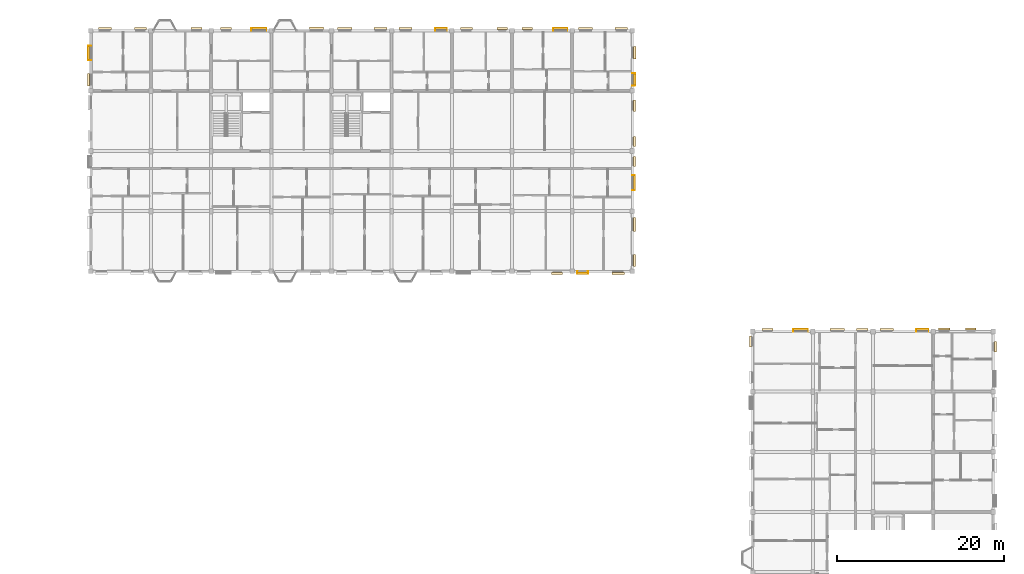
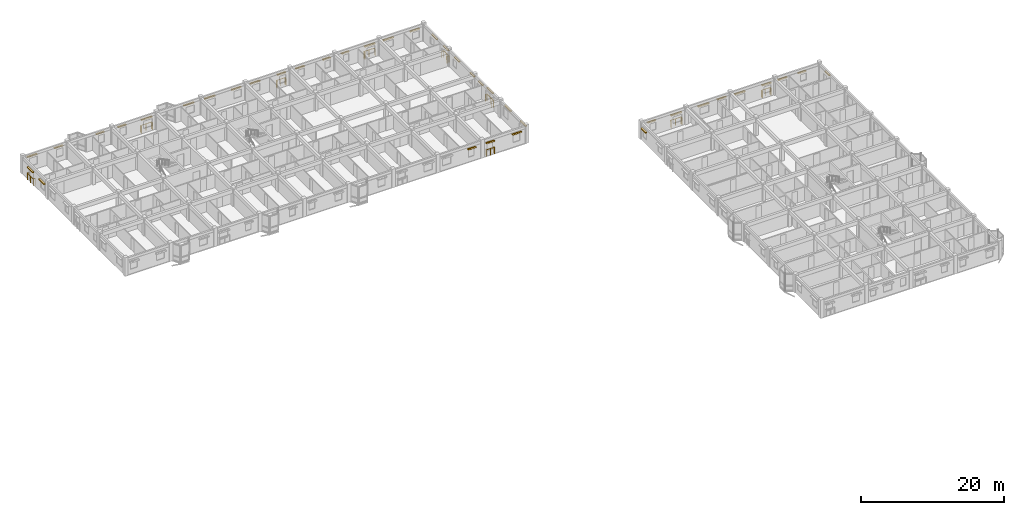
# One storey, part 79 of 79: 39 coverings, 9 railings.
"""IFC4 building model written with IfcOpenShell, lengths in metres."""

import ifcopenshell
import ifcopenshell.guid

model = None  # the IFC model being written
_history = None  # IfcOwnerHistory: only IFC2X3 demands one
_inside = {}  # id of a spatial element -> (the spatial element, [elements in it])
_under = {}  # id of a project, library or spatial element -> (it, [spatial elements below it])
_declared = {}  # id of a project -> (the project, [libraries it declares])
_typed = {}  # id of a type object -> (the type object, [elements of that type])
_made_of = {}  # id of a material, layer set ... -> (it, [elements and type objects made of it])


def new_model(schema):
    """Start an empty IFC model of exactly this schema.

    Asked for "IFC4X3", IfcOpenShell would pick the latest addendum, in which some entities
    have other attributes; the version numbers below select the first issue.
    IFC2X3 requires an IfcOwnerHistory on every rooted entity: one is made here for all.
    """
    global model, _history
    if schema == "IFC4X3":
        model = ifcopenshell.file(schema_version=(4, 3, 0, 0))
    else:
        model = ifcopenshell.file(schema=schema)
    _inside.clear()
    _under.clear()
    _declared.clear()
    _typed.clear()
    _made_of.clear()
    _history = None
    if model.schema == "IFC2X3":
        org = make("IfcOrganization", Name="unknown")
        user = make(
            "IfcPersonAndOrganization",
            ThePerson=make("IfcPerson", FamilyName="unknown"),
            TheOrganization=org,
        )
        app = make(
            "IfcApplication",
            ApplicationDeveloper=org,
            Version="unknown",
            ApplicationFullName="unknown",
            ApplicationIdentifier="unknown",
        )
        _history = make(
            "IfcOwnerHistory",
            OwningUser=user,
            OwningApplication=app,
            ChangeAction="ADDED",
            CreationDate=0,
        )
    return model


def make(cls, **values):
    """One entity of the class cls with the attributes given. An attribute that is None is left unset."""
    return model.create_entity(
        cls, **{name: value for name, value in values.items() if value is not None}
    )


def rooted(cls, **values):
    """An entity with a GlobalId (a new one), such as an element, a storey or a relation."""
    return make(cls, GlobalId=ifcopenshell.guid.new(), OwnerHistory=_history, **values)


def si_unit(unit_type, name, prefix=None):
    """IfcSIUnit, for example si_unit("LENGTHUNIT", "METRE", prefix="MILLI")."""
    return make("IfcSIUnit", UnitType=unit_type, Prefix=prefix, Name=name)


def assignment(units):
    """IfcUnitAssignment: the units of a project."""
    return None if units is None else make("IfcUnitAssignment", Units=units)


def point(xyz):
    """IfcCartesianPoint."""
    return None if xyz is None else make("IfcCartesianPoint", Coordinates=xyz)


def direction(xyz):
    """IfcDirection."""
    return None if xyz is None else make("IfcDirection", DirectionRatios=xyz)


def frame(location, z_axis=None, x_axis=None):
    """IfcAxis2Placement3D, a coordinate frame: its origin and axes. An axis left out is left unset."""
    return make(
        "IfcAxis2Placement3D",
        Location=point(location),
        Axis=direction(z_axis),
        RefDirection=direction(x_axis),
    )


def frame_2d(location, x_axis=None):
    """IfcAxis2Placement2D, a coordinate frame in the plane: its origin and x axis."""
    return make(
        "IfcAxis2Placement2D", Location=point(location), RefDirection=direction(x_axis)
    )


def origin():
    """The frame at (0, 0, 0) with its axes left unset."""
    return frame((0.0, 0.0, 0.0))


def origin_2d():
    """The frame at (0, 0) in the plane with its x axis left unset."""
    return frame_2d((0.0, 0.0))


def place(relative_to, where):
    """IfcLocalPlacement: puts the frame where relative to a parent placement (None: the world)."""
    return make(
        "IfcLocalPlacement", PlacementRelTo=relative_to, RelativePlacement=where
    )


def context(
    kind, dimensions, precision=None, world=None, true_north=None, identifier=None
):
    """IfcGeometricRepresentationContext, for example the 3D "Model" context."""
    return make(
        "IfcGeometricRepresentationContext",
        ContextIdentifier=identifier,
        ContextType=kind,
        CoordinateSpaceDimension=dimensions,
        Precision=precision,
        WorldCoordinateSystem=world,
        TrueNorth=true_north,
    )


def subcontext(parent, identifier, kind, view, scale=None):
    """IfcGeometricRepresentationSubContext, for example "Body" below "Model"."""
    return make(
        "IfcGeometricRepresentationSubContext",
        ContextIdentifier=identifier,
        ContextType=kind,
        ParentContext=parent,
        TargetScale=scale,
        TargetView=view,
    )


def project(units=None, contexts=None):
    """IfcProject with its units and contexts."""
    return rooted(
        "IfcProject",
        Name="project",
        RepresentationContexts=contexts,
        UnitsInContext=assignment(units),
    )


def spatial(cls, under=None, at=None, **own):
    """A site, building, storey or space (cls), placed at a placement, below another one or the project."""
    s = rooted(cls, ObjectPlacement=at, **own)
    if under is not None:
        _under.setdefault(under.id(), (under, []))[1].append(s)
    return s


def profile(cls, at=None, kind="AREA", **sizes):
    """A parametric profile (cls). Its sizes go by their IFC names, for example OverallWidth=200.0."""
    return make(cls, ProfileType=kind, Position=at, **sizes)


def rectangle(**sizes):
    """IfcRectangleProfileDef."""
    return profile("IfcRectangleProfileDef", **sizes)


def circle(**sizes):
    """IfcCircleProfileDef."""
    return profile("IfcCircleProfileDef", **sizes)


def extrude(swept, where, along, depth):
    """IfcExtrudedAreaSolid: the profile swept, set in the frame where, extruded along a direction by depth."""
    return make(
        "IfcExtrudedAreaSolid",
        SweptArea=swept,
        Position=where,
        ExtrudedDirection=direction(along),
        Depth=depth,
    )


def shape(context_of_items, identifier, shape_type, items):
    """IfcShapeRepresentation: the items that make up one representation, for example the "Body"."""
    return make(
        "IfcShapeRepresentation",
        ContextOfItems=context_of_items,
        RepresentationIdentifier=identifier,
        RepresentationType=shape_type,
        Items=items,
    )


def material(Name=None, Category=None):
    """IfcMaterial."""
    return make("IfcMaterial", Name=Name, Category=Category)


def layer(
    of_material, thickness, ventilated=None, Name=None, Category=None, Priority=None
):
    """IfcMaterialLayer: one layer of a wall or slab, of a material (None: an air gap)."""
    return make(
        "IfcMaterialLayer",
        Material=of_material,
        LayerThickness=thickness,
        IsVentilated=ventilated,
        Name=Name,
        Category=Category,
        Priority=Priority,
    )


def layer_set(layers, Name=None):
    """IfcMaterialLayerSet."""
    return make("IfcMaterialLayerSet", MaterialLayers=layers, LayerSetName=Name)


def made_of(thing, what):
    """Note that an element or type object is made of a material, layer set ...; save() writes the relation."""
    if what is not None:
        _made_of.setdefault(what.id(), (what, []))[1].append(thing)
    return thing


def type_object(cls, material=None, **own):
    """A type object (cls), such as IfcWallType, which elements share."""
    return made_of(rooted(cls, **own), material)


def element(
    cls,
    number,
    at=None,
    inside=None,
    cuts=None,
    type_object=None,
    material=None,
    context=None,
    identifier="Body",
    shape_type=None,
    held_by="IfcProductDefinitionShape",
    body=None,
    shapes=None,
    **own,
):
    """One element of the class cls, such as IfcWall. Its Tag is "e" and its number.

    at: its placement. inside: the storey or other place that contains it. cuts: it is an
    opening in that element (IfcRelVoidsElement). A single representation is given by context,
    identifier, shape_type and body (its items); several are given by shapes. held_by: the class
    of the entity that holds the representations. save() writes the other relations.
    """
    e = rooted(cls, Tag="e%d" % number, ObjectPlacement=at, **own)
    if body is not None:
        shapes = [shape(context, identifier, shape_type, body)]
    if shapes is not None:
        e.Representation = make(held_by, Representations=shapes)
    if inside is not None:
        _inside.setdefault(inside.id(), (inside, []))[1].append(e)
    if cuts is not None:
        rooted(
            "IfcRelVoidsElement", RelatingBuildingElement=cuts, RelatedOpeningElement=e
        )
    if type_object is not None:
        _typed.setdefault(type_object.id(), (type_object, []))[1].append(e)
    return made_of(e, material)


def aggregate(whole, parts):
    """IfcRelAggregates: a whole, such as a stair, and the parts it consists of."""
    return rooted("IfcRelAggregates", RelatingObject=whole, RelatedObjects=parts)


def save(model, path):
    """Write the relations noted so far, then the file.

    IfcRelAggregates (storeys below a building ...), IfcRelContainedInSpatialStructure (elements
    in a storey), IfcRelDefinesByType, IfcRelAssociatesMaterial and IfcRelDeclares: one each for
    every whole, place, type object, material and project.
    """
    for whole, parts in _under.values():
        aggregate(whole, parts)
    for where, things in _inside.values():
        rooted(
            "IfcRelContainedInSpatialStructure",
            RelatedElements=things,
            RelatingStructure=where,
        )
    for kind, things in _typed.values():
        rooted("IfcRelDefinesByType", RelatedObjects=things, RelatingType=kind)
    for what, things in _made_of.values():
        rooted("IfcRelAssociatesMaterial", RelatedObjects=things, RelatingMaterial=what)
    for by, libraries in _declared.values():
        rooted("IfcRelDeclares", RelatingContext=by, RelatedDefinitions=libraries)
    model.write(path)


model = new_model("IFC4")

# Units and contexts
model_context = context("Model", 3, precision=1e-05, world=origin(), true_north=direction((0.0, 1.0)))
body_context = subcontext(model_context, "Body", "Model", "MODEL_VIEW")
ifc_project = project(units=[si_unit("LENGTHUNIT", "METRE"), si_unit("AREAUNIT", "SQUARE_METRE"), si_unit("VOLUMEUNIT", "CUBIC_METRE"), si_unit("PLANEANGLEUNIT", "RADIAN"), si_unit("MASSUNIT", "GRAM", prefix="KILO"), si_unit("THERMODYNAMICTEMPERATUREUNIT", "KELVIN"), si_unit("POWERUNIT", "WATT")], contexts=[model_context])

# Site, building, storey
site_placement = place(None, origin())
site = spatial("IfcSite", under=ifc_project, at=site_placement, CompositionType="ELEMENT")
building_placement = place(site_placement, origin())
building = spatial("IfcBuilding", under=site, at=building_placement, Name="Tavuni Mirador Residences", CompositionType="ELEMENT")
storey_placement = place(building_placement, frame((0.0, 0.0, 13.949951171875)))
storey = spatial("IfcBuildingStorey", under=building, at=storey_placement, Name="L04", CompositionType="ELEMENT", Elevation=13.949951171875)

# Coverings
ifc_material_1 = material(Name="Natural coral limestone", Category="masonry")
ifc_layer = layer(ifc_material_1, 0.054931640625, Name="Natural coral limestone", Category="masonry")
ifc_layer_set = layer_set([ifc_layer], Name="Natural coral limestone")
covering_type = type_object("IfcCoveringType", Name="CVT-CLAD-CORAL", PredefinedType="CLADDING", material=ifc_layer_set)
for number, where, z_axis, x_axis, name in (
    (1, (66.594970703125, 143.740478515625, 2.2451171875), (0.0, 0.0, 1.0), (1.0, 0.0, 0.0), "HOOD-0622"),
    (2, (69.594970703125, 143.75048828125, 2.2451171875), (0.0, 0.0, 1.0), (1.0, 0.0, 0.0), "HOOD-0623"),
):
    element("IfcCovering", number, at=place(storey_placement, frame(where, z_axis=z_axis, x_axis=x_axis)), inside=storey, type_object=covering_type, Name=name, PredefinedType="CLADDING", context=body_context, shape_type="SweptSolid", body=[
        extrude(rectangle(XDim=1.280029296875, YDim=0.25, at=origin_2d()), origin(), (0.0, 0.0, 1.0), 0.14990234375),
    ])
for number, where, z_axis, x_axis, name in (
    (3, (73.89990234375, 143.75048828125, 2.2451171875), (0.0, 0.0, 1.0), (1.0, 0.0, 0.0), "HOOD-0624"),
    (4, (75.859619140625, 145.300048828125, 2.2451171875), (0.0, 0.0, 1.0), (0.0, 1.0, 0.0), "HOOD-0625"),
):
    element("IfcCovering", number, at=place(storey_placement, frame(where, z_axis=z_axis, x_axis=x_axis)), inside=storey, type_object=covering_type, Name=name, PredefinedType="CLADDING", context=body_context, shape_type="SweptSolid", body=[
        extrude(rectangle(XDim=1.489990234375, YDim=0.25, at=origin_2d()), origin(), (0.0, 0.0, 1.0), 0.14990234375),
    ])
for number, where, z_axis, x_axis, name in (
    (5, (75.859619140625, 149.60009765625, 2.2451171875), (0.0, 0.0, 1.0), (0.0, 1.0, 0.0), "HOOD-0626"),
    (6, (75.849609375, 154.60009765625, 2.2451171875), (0.0, 0.0, 1.0), (0.0, 1.0, 0.0), "HOOD-0627"),
):
    element("IfcCovering", number, at=place(storey_placement, frame(where, z_axis=z_axis, x_axis=x_axis)), inside=storey, type_object=covering_type, Name=name, PredefinedType="CLADDING", context=body_context, shape_type="SweptSolid", body=[
        extrude(rectangle(XDim=1.68994140625, YDim=0.25, at=origin_2d()), origin(), (0.0, 0.0, 1.0), 0.14990234375),
    ])
for number, where, z_axis, x_axis, name in (
    (7, (75.849609375, 157.142578125, 1.955078125), (0.0, 0.0, 1.0), (0.0, 1.0, 0.0), "HOOD-0628"),
    (8, (75.844482421875, 159.550048828125, 1.955078125), (0.0, 0.0, 1.0), (0.0, 1.0, 0.0), "HOOD-0629"),
):
    element("IfcCovering", number, at=place(storey_placement, frame(where, z_axis=z_axis, x_axis=x_axis)), inside=storey, type_object=covering_type, Name=name, PredefinedType="CLADDING", context=body_context, shape_type="SweptSolid", body=[
        extrude(rectangle(XDim=1.18994140625, YDim=0.25, at=origin_2d()), origin(), (0.0, 0.0, 1.0), 0.14990234375),
    ])
for number, where, z_axis, x_axis, name in (
    (9, (75.844482421875, 163.824951171875, 1.955078125), (0.0, 0.0, 1.0), (0.0, 1.0, 0.0), "HOOD-0630"),
    (10, (75.886962890625, 166.9775390625, 1.955078125), (0.0, 0.0, 1.0), (0.0, 1.0, 0.0), "HOOD-0631"),
):
    element("IfcCovering", number, at=place(storey_placement, frame(where, z_axis=z_axis, x_axis=x_axis)), inside=storey, type_object=covering_type, Name=name, PredefinedType="CLADDING", context=body_context, shape_type="SweptSolid", body=[
        extrude(rectangle(XDim=1.340087890625, YDim=0.25, at=origin_2d()), origin(), (0.0, 0.0, 1.0), 0.14990234375),
    ])
for number, where, z_axis, x_axis, name in (
    (11, (75.886962890625, 170.16259765625, 1.955078125), (0.0, 0.0, 1.0), (0.0, 1.0, 0.0), "HOOD-0632"),
    (12, (74.294921875, 173.049560546875, 1.955078125), (0.0, 0.0, 1.0), (-1.0, 0.0, 0.0), "HOOD-0633"),
):
    element("IfcCovering", number, at=place(storey_placement, frame(where, z_axis=z_axis, x_axis=x_axis)), inside=storey, type_object=covering_type, Name=name, PredefinedType="CLADDING", context=body_context, shape_type="SweptSolid", body=[
        extrude(rectangle(XDim=1.5, YDim=0.25, at=origin_2d()), origin(), (0.0, 0.0, 1.0), 0.14990234375),
    ])
for number, where, z_axis, x_axis, name in (
    (13, (70.014892578125, 173.049560546875, 1.955078125), (0.0, 0.0, 1.0), (-1.0, 0.0, 0.0), "HOOD-0634"),
    (14, (67.014892578125, 173.0595703125, 1.955078125), (0.0, 0.0, 1.0), (-1.0, 0.0, 0.0), "HOOD-0635"),
):
    element("IfcCovering", number, at=place(storey_placement, frame(where, z_axis=z_axis, x_axis=x_axis)), inside=storey, type_object=covering_type, Name=name, PredefinedType="CLADDING", context=body_context, shape_type="SweptSolid", body=[
        extrude(rectangle(XDim=1.659912109375, YDim=0.25, at=origin_2d()), origin(), (0.0, 0.0, 1.0), 0.14990234375),
    ])
for number, where, z_axis, x_axis, name in (
    (15, (63.034912109375, 173.0595703125, 2.065185546875), (0.0, 0.0, 1.0), (-1.0, 0.0, 0.0), "HOOD-0636"),
    (16, (60.034912109375, 173.06689453125, 2.065185546875), (0.0, 0.0, 1.0), (-1.0, 0.0, 0.0), "HOOD-0637"),
):
    element("IfcCovering", number, at=place(storey_placement, frame(where, z_axis=z_axis, x_axis=x_axis)), inside=storey, type_object=covering_type, Name=name, PredefinedType="CLADDING", context=body_context, shape_type="SweptSolid", body=[
        extrude(rectangle(XDim=1.219970703125, YDim=0.25, at=origin_2d()), origin(), (0.0, 0.0, 1.0), 0.14990234375),
    ])
for number, where, z_axis, x_axis, name in (
    (17, (55.7548828125, 173.06689453125, 2.065185546875), (0.0, 0.0, 1.0), (-1.0, 0.0, 0.0), "HOOD-0638"),
    (18, (52.7548828125, 173.074462890625, 2.065185546875), (0.0, 0.0, 1.0), (-1.0, 0.0, 0.0), "HOOD-0639"),
):
    element("IfcCovering", number, at=place(storey_placement, frame(where, z_axis=z_axis, x_axis=x_axis)), inside=storey, type_object=covering_type, Name=name, PredefinedType="CLADDING", context=body_context, shape_type="SweptSolid", body=[
        extrude(rectangle(XDim=1.3798828125, YDim=0.25, at=origin_2d()), origin(), (0.0, 0.0, 1.0), 0.14990234375),
    ])
for number, where, z_axis, x_axis, name in (
    (19, (48.47509765625, 173.074462890625, 2.065185546875), (0.0, 0.0, 1.0), (-1.0, 0.0, 0.0), "HOOD-0640"),
    (20, (45.47509765625, 173.07958984375, 2.065185546875), (0.0, 0.0, 1.0), (-1.0, 0.0, 0.0), "HOOD-0641"),
):
    element("IfcCovering", number, at=place(storey_placement, frame(where, z_axis=z_axis, x_axis=x_axis)), inside=storey, type_object=covering_type, Name=name, PredefinedType="CLADDING", context=body_context, shape_type="SweptSolid", body=[
        extrude(rectangle(XDim=1.5400390625, YDim=0.25, at=origin_2d()), origin(), (0.0, 0.0, 1.0), 0.14990234375),
    ])
covering_1_placement = place(storey_placement, frame((41.195068359375, 173.07958984375, 2.065185546875), z_axis=(0.0, 0.0, 1.0), x_axis=(-1.0, 0.0, 0.0)))
element("IfcCovering", 21, at=covering_1_placement, inside=storey, type_object=covering_type, Name="HOOD-0642", PredefinedType="CLADDING", context=body_context, shape_type="SweptSolid", body=[
    extrude(rectangle(XDim=1.699951171875, YDim=0.25, at=origin_2d()), origin(), (0.0, 0.0, 1.0), 0.14990234375),
])
covering_2_placement = place(storey_placement, frame((37.797607421875, 173.092041015625, 2.06005859375), z_axis=(0.0, 0.0, 1.0), x_axis=(-1.0, 0.0, 0.0)))
element("IfcCovering", 22, at=covering_2_placement, inside=storey, type_object=covering_type, Name="HOOD-0643", PredefinedType="CLADDING", context=body_context, shape_type="SweptSolid", body=[
    extrude(rectangle(XDim=1.719970703125, YDim=0.260009765625, at=origin_2d()), origin(), (0.0, 0.0, 1.0), 0.159912109375),
])
covering_3_placement = place(storey_placement, frame((30.955078125, 173.04443359375, 2.065185546875), z_axis=(0.0, 0.0, 1.0), x_axis=(-1.0, 0.0, 0.0)))
element("IfcCovering", 23, at=covering_3_placement, inside=storey, type_object=covering_type, Name="HOOD-0644", PredefinedType="CLADDING", context=body_context, shape_type="SweptSolid", body=[
    extrude(rectangle(XDim=1.780029296875, YDim=0.25, at=origin_2d()), origin(), (0.0, 0.0, 1.0), 0.14990234375),
])
covering_4_placement = place(storey_placement, frame((26.985107421875, 173.04443359375, 2.1650390625), z_axis=(0.0, 0.0, 1.0), x_axis=(-1.0, 0.0, 0.0)))
element("IfcCovering", 24, at=covering_4_placement, inside=storey, type_object=covering_type, Name="HOOD-0645", PredefinedType="CLADDING", context=body_context, shape_type="SweptSolid", body=[
    extrude(rectangle(XDim=1.320068359375, YDim=0.25, at=origin_2d()), origin(), (0.0, 0.0, 1.0), 0.14990234375),
])
covering_5_placement = place(storey_placement, frame((23.447509765625, 173.054443359375, 2.16015625), z_axis=(0.0, 0.0, 1.0), x_axis=(-1.0, 0.0, 0.0)))
element("IfcCovering", 25, at=covering_5_placement, inside=storey, type_object=covering_type, Name="HOOD-0646", PredefinedType="CLADDING", context=body_context, shape_type="SweptSolid", body=[
    extrude(rectangle(XDim=1.340087890625, YDim=0.260009765625, at=origin_2d()), origin(), (0.0, 0.0, 1.0), 0.159912109375),
])
covering_6_placement = place(storey_placement, frame((16.7451171875, 173.0595703125, 2.1650390625), z_axis=(0.0, 0.0, 1.0), x_axis=(-1.0, 0.0, 0.0)))
element("IfcCovering", 26, at=covering_6_placement, inside=storey, type_object=covering_type, Name="HOOD-0647", PredefinedType="CLADDING", context=body_context, shape_type="SweptSolid", body=[
    extrude(rectangle(XDim=1.39990234375, YDim=0.25, at=origin_2d()), origin(), (0.0, 0.0, 1.0), 0.14990234375),
])
for number, where, z_axis, x_axis, name in (
    (27, (12.465087890625, 173.0595703125, 2.1650390625), (0.0, 0.0, 1.0), (-1.0, 0.0, 0.0), "HOOD-0648"),
    (28, (10.512939453125, 170.12255859375, 2.1650390625), (0.0, 0.0, 1.0), (0.0, -1.0, 0.0), "HOOD-0649"),
):
    element("IfcCovering", number, at=place(storey_placement, frame(where, z_axis=z_axis, x_axis=x_axis)), inside=storey, type_object=covering_type, Name=name, PredefinedType="CLADDING", context=body_context, shape_type="SweptSolid", body=[
        extrude(rectangle(XDim=1.56005859375, YDim=0.25, at=origin_2d()), origin(), (0.0, 0.0, 1.0), 0.14990234375),
    ])
covering_7_placement = place(storey_placement, frame((10.512939453125, 166.9375, 2.065185546875), z_axis=(0.0, 0.0, 1.0), x_axis=(0.0, -1.0, 0.0)))
element("IfcCovering", 29, at=covering_7_placement, inside=storey, type_object=covering_type, Name="HOOD-0650", PredefinedType="CLADDING", context=body_context, shape_type="SweptSolid", body=[
    extrude(rectangle(XDim=1.5400390625, YDim=0.25, at=origin_2d()), origin(), (0.0, 0.0, 1.0), 0.14990234375),
])
for number, where, z_axis, x_axis, name in (
    (30, (119.06689453125, 134.985107421875, 1.955078125), (0.0, 0.0, 1.0), (0.0, 1.0, 0.0), "HOOD-0969"),
    (31, (116.12255859375, 137.0869140625, 1.955078125), (0.0, 0.0, 1.0), (-1.0, 0.0, 0.0), "HOOD-0970"),
):
    element("IfcCovering", number, at=place(storey_placement, frame(where, z_axis=z_axis, x_axis=x_axis)), inside=storey, type_object=covering_type, Name=name, PredefinedType="CLADDING", context=body_context, shape_type="SweptSolid", body=[
        extrude(rectangle(XDim=1.260009765625, YDim=0.25, at=origin_2d()), origin(), (0.0, 0.0, 1.0), 0.14990234375),
    ])
for number, where, z_axis, x_axis, name in (
    (32, (112.9375, 137.0869140625, 1.955078125), (0.0, 0.0, 1.0), (-1.0, 0.0, 0.0), "HOOD-0971"),
    (33, (110.3349609375, 137.04443359375, 1.955078125), (0.0, 0.0, 1.0), (-1.0, 0.0, 0.0), "HOOD-0972"),
):
    element("IfcCovering", number, at=place(storey_placement, frame(where, z_axis=z_axis, x_axis=x_axis)), inside=storey, type_object=covering_type, Name=name, PredefinedType="CLADDING", context=body_context, shape_type="SweptSolid", body=[
        extrude(rectangle(XDim=1.419921875, YDim=0.25, at=origin_2d()), origin(), (0.0, 0.0, 1.0), 0.14990234375),
    ])
covering_8_placement = place(storey_placement, frame((106.054931640625, 137.04443359375, 1.955078125), z_axis=(0.0, 0.0, 1.0), x_axis=(-1.0, 0.0, 0.0)))
element("IfcCovering", 34, at=covering_8_placement, inside=storey, type_object=covering_type, Name="HOOD-0973", PredefinedType="CLADDING", context=body_context, shape_type="SweptSolid", body=[
    extrude(rectangle(XDim=1.580078125, YDim=0.25, at=origin_2d()), origin(), (0.0, 0.0, 1.0), 0.14990234375),
])
covering_9_placement = place(storey_placement, frame((103.142578125, 137.049560546875, 2.065185546875), z_axis=(0.0, 0.0, 1.0), x_axis=(-1.0, 0.0, 0.0)))
element("IfcCovering", 35, at=covering_9_placement, inside=storey, type_object=covering_type, Name="HOOD-0974", PredefinedType="CLADDING", context=body_context, shape_type="SweptSolid", body=[
    extrude(rectangle(XDim=1.3798828125, YDim=0.25, at=origin_2d()), origin(), (0.0, 0.0, 1.0), 0.14990234375),
])
for number, where, z_axis, x_axis, name in (
    (36, (100.14990234375, 137.049560546875, 1.955078125), (0.0, 0.0, 1.0), (-1.0, 0.0, 0.0), "HOOD-0975"),
    (37, (95.77490234375, 137.0595703125, 1.955078125), (0.0, 0.0, 1.0), (-1.0, 0.0, 0.0), "HOOD-0976"),
):
    element("IfcCovering", number, at=place(storey_placement, frame(where, z_axis=z_axis, x_axis=x_axis)), inside=storey, type_object=covering_type, Name=name, PredefinedType="CLADDING", context=body_context, shape_type="SweptSolid", body=[
        extrude(rectangle(XDim=1.739990234375, YDim=0.25, at=origin_2d()), origin(), (0.0, 0.0, 1.0), 0.14990234375),
    ])
for number, where, z_axis, x_axis, name in (
    (38, (91.794921875, 137.0595703125, 2.065185546875), (0.0, 0.0, 1.0), (-1.0, 0.0, 0.0), "HOOD-0977"),
    (39, (89.73291015625, 135.594970703125, 2.065185546875), (0.0, 0.0, 1.0), (0.0, -1.0, 0.0), "HOOD-0978"),
):
    element("IfcCovering", number, at=place(storey_placement, frame(where, z_axis=z_axis, x_axis=x_axis)), inside=storey, type_object=covering_type, Name=name, PredefinedType="CLADDING", context=body_context, shape_type="SweptSolid", body=[
        extrude(rectangle(XDim=1.300048828125, YDim=0.25, at=origin_2d()), origin(), (0.0, 0.0, 1.0), 0.14990234375),
    ])

# Railings
ifc_material_2 = material(Name="Structural steel S355", Category="steel")
railing_type = type_object("IfcRailingType", Name="RT-BL1150", PredefinedType="BALUSTRADE", material=ifc_material_2)
railing_1_placement = place(storey_placement, frame((69.02490234375, 144.0, 0.0400390625)))
element("IfcRailing", 40, at=railing_1_placement, inside=storey, type_object=railing_type, Name="BALC-BLK-C-L04-S08", PredefinedType="BALUSTRADE", context=body_context, shape_type="SweptSolid", body=[
    extrude(circle(Radius=0.02392578125, at=origin_2d()), frame((0.0, 0.0, 1.1259765625), z_axis=(0.0, -1.0, 0.0), x_axis=(1.0, 0.0, 0.0)), (0.0, 0.0, 1.0), 0.267578125),
    extrude(circle(Radius=0.02392578125, at=origin_2d()), frame((0.0, -0.267578125, 1.1259765625), z_axis=(1.0, 0.0, 0.0), x_axis=(0.0, 1.0, 0.0)), (0.0, 0.0, 1.0), 1.260009765625),
    extrude(circle(Radius=0.02392578125, at=origin_2d()), frame((1.260009765625, -0.267578125, 1.1259765625), z_axis=(0.0, 1.0, 0.0), x_axis=(-1.0, 0.0, 0.0)), (0.0, 0.0, 1.0), 0.267578125),
    extrude(circle(Radius=0.02099609375, at=origin_2d()), origin(), (0.0, 0.0, 1.0), 1.101806640625),
    extrude(circle(Radius=0.02099609375, at=origin_2d()), frame((0.0, -0.267578125, 0.0)), (0.0, 0.0, 1.0), 1.101806640625),
    extrude(circle(Radius=0.02099609375, at=origin_2d()), frame((0.6298828125, -0.267578125, 0.0)), (0.0, 0.0, 1.0), 1.101806640625),
    extrude(circle(Radius=0.02099609375, at=origin_2d()), frame((1.260009765625, -0.267578125, 0.0)), (0.0, 0.0, 1.0), 1.101806640625),
    extrude(circle(Radius=0.02099609375, at=origin_2d()), frame((1.260009765625, 0.0, 0.0)), (0.0, 0.0, 1.0), 1.101806640625),
])
railing_2_placement = place(storey_placement, frame((75.60009765625, 153.705078125, 0.0400390625)))
element("IfcRailing", 41, at=railing_2_placement, inside=storey, type_object=railing_type, Name="BALC-BLK-C-L04-E01", PredefinedType="BALUSTRADE", context=body_context, shape_type="SweptSolid", body=[
    extrude(circle(Radius=0.02392578125, at=origin_2d()), frame((0.0, 0.0, 1.1259765625), z_axis=(1.0, 0.0, 0.0), x_axis=(0.0, 1.0, 0.0)), (0.0, 0.0, 1.0), 0.267333984375),
    extrude(circle(Radius=0.02392578125, at=origin_2d()), frame((0.267333984375, 0.0, 1.1259765625), z_axis=(0.0, 1.0, 0.0), x_axis=(-1.0, 0.0, 0.0)), (0.0, 0.0, 1.0), 1.7900390625),
    extrude(circle(Radius=0.02392578125, at=origin_2d()), frame((0.267333984375, 1.7900390625, 1.1259765625), z_axis=(-1.0, 0.0, 0.0), x_axis=(0.0, -1.0, 0.0)), (0.0, 0.0, 1.0), 0.267333984375),
    extrude(circle(Radius=0.02099609375, at=origin_2d()), origin(), (0.0, 0.0, 1.0), 1.101806640625),
    extrude(circle(Radius=0.02099609375, at=origin_2d()), frame((0.267333984375, 0.0, 0.0)), (0.0, 0.0, 1.0), 1.101806640625),
    extrude(circle(Radius=0.02099609375, at=origin_2d()), frame((0.267333984375, 0.89501953125, 0.0)), (0.0, 0.0, 1.0), 1.101806640625),
    extrude(circle(Radius=0.02099609375, at=origin_2d()), frame((0.267333984375, 1.7900390625, 0.0)), (0.0, 0.0, 1.0), 1.101806640625),
    extrude(circle(Radius=0.02099609375, at=origin_2d()), frame((0.0, 1.7900390625, 0.0)), (0.0, 0.0, 1.0), 1.101806640625),
])
railing_3_placement = place(storey_placement, frame((75.60009765625, 166.257568359375, 0.0400390625)))
element("IfcRailing", 42, at=railing_3_placement, inside=storey, type_object=railing_type, Name="BALC-BLK-C-L04-E03", PredefinedType="BALUSTRADE", context=body_context, shape_type="SweptSolid", body=[
    extrude(circle(Radius=0.02392578125, at=origin_2d()), frame((0.0, 0.0, 1.1259765625), z_axis=(1.0, 0.0, 0.0), x_axis=(0.0, 1.0, 0.0)), (0.0, 0.0, 1.0), 0.304931640625),
    extrude(circle(Radius=0.02392578125, at=origin_2d()), frame((0.304931640625, 0.0, 1.1259765625), z_axis=(0.0, 1.0, 0.0), x_axis=(-1.0, 0.0, 0.0)), (0.0, 0.0, 1.0), 1.43994140625),
    extrude(circle(Radius=0.02392578125, at=origin_2d()), frame((0.304931640625, 1.43994140625, 1.1259765625), z_axis=(-1.0, 0.0, 0.0), x_axis=(0.0, -1.0, 0.0)), (0.0, 0.0, 1.0), 0.304931640625),
    extrude(circle(Radius=0.02099609375, at=origin_2d()), origin(), (0.0, 0.0, 1.0), 1.101806640625),
    extrude(circle(Radius=0.02099609375, at=origin_2d()), frame((0.304931640625, 0.0, 0.0)), (0.0, 0.0, 1.0), 1.101806640625),
    extrude(circle(Radius=0.02099609375, at=origin_2d()), frame((0.304931640625, 0.719970703125, 0.0)), (0.0, 0.0, 1.0), 1.101806640625),
    extrude(circle(Radius=0.02099609375, at=origin_2d()), frame((0.304931640625, 1.43994140625, 0.0)), (0.0, 0.0, 1.0), 1.101806640625),
    extrude(circle(Radius=0.02099609375, at=origin_2d()), frame((0.0, 1.43994140625, 0.0)), (0.0, 0.0, 1.0), 1.101806640625),
])
railing_4_placement = place(storey_placement, frame((67.77490234375, 172.800048828125, 0.0400390625)))
element("IfcRailing", 43, at=railing_4_placement, inside=storey, type_object=railing_type, Name="BALC-BLK-C-L04-N07", PredefinedType="BALUSTRADE", context=body_context, shape_type="SweptSolid", body=[
    extrude(circle(Radius=0.02392578125, at=origin_2d()), frame((0.0, 0.0, 1.1259765625), z_axis=(0.0, 1.0, 0.0), x_axis=(-1.0, 0.0, 0.0)), (0.0, 0.0, 1.0), 0.27734375),
    extrude(circle(Radius=0.02392578125, at=origin_2d()), frame((0.0, 0.27734375, 1.1259765625), z_axis=(-1.0, 0.0, 0.0), x_axis=(0.0, -1.0, 0.0)), (0.0, 0.0, 1.0), 1.639892578125),
    extrude(circle(Radius=0.02392578125, at=origin_2d()), frame((-1.639892578125, 0.27734375, 1.1259765625), z_axis=(0.0, -1.0, 0.0), x_axis=(1.0, 0.0, 0.0)), (0.0, 0.0, 1.0), 0.27734375),
    extrude(circle(Radius=0.02099609375, at=origin_2d()), origin(), (0.0, 0.0, 1.0), 1.101806640625),
    extrude(circle(Radius=0.02099609375, at=origin_2d()), frame((0.0, 0.27734375, 0.0)), (0.0, 0.0, 1.0), 1.101806640625),
    extrude(circle(Radius=0.02099609375, at=origin_2d()), frame((-0.81982421875, 0.27734375, 0.0)), (0.0, 0.0, 1.0), 1.101806640625),
    extrude(circle(Radius=0.02099609375, at=origin_2d()), frame((-1.639892578125, 0.27734375, 0.0)), (0.0, 0.0, 1.0), 1.101806640625),
    extrude(circle(Radius=0.02099609375, at=origin_2d()), frame((-1.639892578125, 0.0, 0.0)), (0.0, 0.0, 1.0), 1.101806640625),
])
railing_5_placement = place(storey_placement, frame((53.375, 172.800048828125, 0.0400390625)))
element("IfcRailing", 44, at=railing_5_placement, inside=storey, type_object=railing_type, Name="BALC-BLK-C-L04-N05", PredefinedType="BALUSTRADE", context=body_context, shape_type="SweptSolid", body=[
    extrude(circle(Radius=0.02392578125, at=origin_2d()), frame((0.0, 0.0, 1.1259765625), z_axis=(0.0, 1.0, 0.0), x_axis=(-1.0, 0.0, 0.0)), (0.0, 0.0, 1.0), 0.29248046875),
    extrude(circle(Radius=0.02392578125, at=origin_2d()), frame((0.0, 0.29248046875, 1.1259765625), z_axis=(-1.0, 0.0, 0.0), x_axis=(0.0, -1.0, 0.0)), (0.0, 0.0, 1.0), 1.360107421875),
    extrude(circle(Radius=0.02392578125, at=origin_2d()), frame((-1.360107421875, 0.29248046875, 1.1259765625), z_axis=(0.0, -1.0, 0.0), x_axis=(1.0, 0.0, 0.0)), (0.0, 0.0, 1.0), 0.29248046875),
    extrude(circle(Radius=0.02099609375, at=origin_2d()), origin(), (0.0, 0.0, 1.0), 1.101806640625),
    extrude(circle(Radius=0.02099609375, at=origin_2d()), frame((0.0, 0.29248046875, 0.0)), (0.0, 0.0, 1.0), 1.101806640625),
    extrude(circle(Radius=0.02099609375, at=origin_2d()), frame((-0.68017578125, 0.29248046875, 0.0)), (0.0, 0.0, 1.0), 1.101806640625),
    extrude(circle(Radius=0.02099609375, at=origin_2d()), frame((-1.360107421875, 0.29248046875, 0.0)), (0.0, 0.0, 1.0), 1.101806640625),
    extrude(circle(Radius=0.02099609375, at=origin_2d()), frame((-1.360107421875, 0.0, 0.0)), (0.0, 0.0, 1.0), 1.101806640625),
])
railing_6_placement = place(storey_placement, frame((31.77490234375, 172.800048828125, 0.0400390625)))
element("IfcRailing", 45, at=railing_6_placement, inside=storey, type_object=railing_type, Name="BALC-BLK-C-L04-N02", PredefinedType="BALUSTRADE", context=body_context, shape_type="SweptSolid", body=[
    extrude(circle(Radius=0.02392578125, at=origin_2d()), frame((0.0, 0.0, 1.1259765625), z_axis=(0.0, 1.0, 0.0), x_axis=(-1.0, 0.0, 0.0)), (0.0, 0.0, 1.0), 0.262451171875),
    extrude(circle(Radius=0.02392578125, at=origin_2d()), frame((0.0, 0.262451171875, 1.1259765625), z_axis=(-1.0, 0.0, 0.0), x_axis=(0.0, -1.0, 0.0)), (0.0, 0.0, 1.0), 1.760009765625),
    extrude(circle(Radius=0.02392578125, at=origin_2d()), frame((-1.760009765625, 0.262451171875, 1.1259765625), z_axis=(0.0, -1.0, 0.0), x_axis=(1.0, 0.0, 0.0)), (0.0, 0.0, 1.0), 0.262451171875),
    extrude(circle(Radius=0.02099609375, at=origin_2d()), origin(), (0.0, 0.0, 1.0), 1.101806640625),
    extrude(circle(Radius=0.02099609375, at=origin_2d()), frame((0.0, 0.262451171875, 0.0)), (0.0, 0.0, 1.0), 1.101806640625),
    extrude(circle(Radius=0.02099609375, at=origin_2d()), frame((-0.8798828125, 0.262451171875, 0.0)), (0.0, 0.0, 1.0), 1.101806640625),
    extrude(circle(Radius=0.02099609375, at=origin_2d()), frame((-1.760009765625, 0.262451171875, 0.0)), (0.0, 0.0, 1.0), 1.101806640625),
    extrude(circle(Radius=0.02099609375, at=origin_2d()), frame((-1.760009765625, 0.0, 0.0)), (0.0, 0.0, 1.0), 1.101806640625),
])
railing_7_placement = place(storey_placement, frame((10.800048828125, 170.952392578125, 0.0400390625)))
element("IfcRailing", 46, at=railing_7_placement, inside=storey, type_object=railing_type, Name="BALC-BLK-C-L04-W03", PredefinedType="BALUSTRADE", context=body_context, shape_type="SweptSolid", body=[
    extrude(circle(Radius=0.02392578125, at=origin_2d()), frame((0.0, 0.0, 1.1259765625), z_axis=(-1.0, 0.0, 0.0), x_axis=(0.0, -1.0, 0.0)), (0.0, 0.0, 1.0), 0.304931640625),
    extrude(circle(Radius=0.02392578125, at=origin_2d()), frame((-0.304931640625, 0.0, 1.1259765625), z_axis=(0.0, -1.0, 0.0), x_axis=(1.0, 0.0, 0.0)), (0.0, 0.0, 1.0), 1.659912109375),
    extrude(circle(Radius=0.02392578125, at=origin_2d()), frame((-0.304931640625, -1.659912109375, 1.1259765625), z_axis=(1.0, 0.0, 0.0), x_axis=(0.0, 1.0, 0.0)), (0.0, 0.0, 1.0), 0.304931640625),
    extrude(circle(Radius=0.02099609375, at=origin_2d()), origin(), (0.0, 0.0, 1.0), 1.101806640625),
    extrude(circle(Radius=0.02099609375, at=origin_2d()), frame((-0.304931640625, 0.0, 0.0)), (0.0, 0.0, 1.0), 1.101806640625),
    extrude(circle(Radius=0.02099609375, at=origin_2d()), frame((-0.304931640625, -0.830078125, 0.0)), (0.0, 0.0, 1.0), 1.101806640625),
    extrude(circle(Radius=0.02099609375, at=origin_2d()), frame((-0.304931640625, -1.659912109375, 0.0)), (0.0, 0.0, 1.0), 1.101806640625),
    extrude(circle(Radius=0.02099609375, at=origin_2d()), frame((0.0, -1.659912109375, 0.0)), (0.0, 0.0, 1.0), 1.101806640625),
])
railing_8_placement = place(storey_placement, frame((110.97509765625, 136.800048828125, 0.0400390625)))
element("IfcRailing", 47, at=railing_8_placement, inside=storey, type_object=railing_type, Name="BALC-BLK-D-L04-N02", PredefinedType="BALUSTRADE", context=body_context, shape_type="SweptSolid", body=[
    extrude(circle(Radius=0.02392578125, at=origin_2d()), frame((0.0, 0.0, 1.1259765625), z_axis=(0.0, 1.0, 0.0), x_axis=(-1.0, 0.0, 0.0)), (0.0, 0.0, 1.0), 0.262451171875),
    extrude(circle(Radius=0.02392578125, at=origin_2d()), frame((0.0, 0.262451171875, 1.1259765625), z_axis=(-1.0, 0.0, 0.0), x_axis=(0.0, -1.0, 0.0)), (0.0, 0.0, 1.0), 1.400146484375),
    extrude(circle(Radius=0.02392578125, at=origin_2d()), frame((-1.400146484375, 0.262451171875, 1.1259765625), z_axis=(0.0, -1.0, 0.0), x_axis=(1.0, 0.0, 0.0)), (0.0, 0.0, 1.0), 0.262451171875),
    extrude(circle(Radius=0.02099609375, at=origin_2d()), origin(), (0.0, 0.0, 1.0), 1.101806640625),
    extrude(circle(Radius=0.02099609375, at=origin_2d()), frame((0.0, 0.262451171875, 0.0)), (0.0, 0.0, 1.0), 1.101806640625),
    extrude(circle(Radius=0.02099609375, at=origin_2d()), frame((-0.7001953125, 0.262451171875, 0.0)), (0.0, 0.0, 1.0), 1.101806640625),
    extrude(circle(Radius=0.02099609375, at=origin_2d()), frame((-1.400146484375, 0.262451171875, 0.0)), (0.0, 0.0, 1.0), 1.101806640625),
    extrude(circle(Radius=0.02099609375, at=origin_2d()), frame((-1.400146484375, 0.0, 0.0)), (0.0, 0.0, 1.0), 1.101806640625),
])
railing_9_placement = place(storey_placement, frame((96.574951171875, 136.800048828125, 0.0400390625)))
element("IfcRailing", 48, at=railing_9_placement, inside=storey, type_object=railing_type, Name="BALC-BLK-D-L04-N00", PredefinedType="BALUSTRADE", context=body_context, shape_type="SweptSolid", body=[
    extrude(circle(Radius=0.02392578125, at=origin_2d()), frame((0.0, 0.0, 1.1259765625), z_axis=(0.0, 1.0, 0.0), x_axis=(-1.0, 0.0, 0.0)), (0.0, 0.0, 1.0), 0.27734375),
    extrude(circle(Radius=0.02392578125, at=origin_2d()), frame((0.0, 0.27734375, 1.1259765625), z_axis=(-1.0, 0.0, 0.0), x_axis=(0.0, -1.0, 0.0)), (0.0, 0.0, 1.0), 1.719970703125),
    extrude(circle(Radius=0.02392578125, at=origin_2d()), frame((-1.719970703125, 0.27734375, 1.1259765625), z_axis=(0.0, -1.0, 0.0), x_axis=(1.0, 0.0, 0.0)), (0.0, 0.0, 1.0), 0.27734375),
    extrude(circle(Radius=0.02099609375, at=origin_2d()), origin(), (0.0, 0.0, 1.0), 1.101806640625),
    extrude(circle(Radius=0.02099609375, at=origin_2d()), frame((0.0, 0.27734375, 0.0)), (0.0, 0.0, 1.0), 1.101806640625),
    extrude(circle(Radius=0.02099609375, at=origin_2d()), frame((-0.85986328125, 0.27734375, 0.0)), (0.0, 0.0, 1.0), 1.101806640625),
    extrude(circle(Radius=0.02099609375, at=origin_2d()), frame((-1.719970703125, 0.27734375, 0.0)), (0.0, 0.0, 1.0), 1.101806640625),
    extrude(circle(Radius=0.02099609375, at=origin_2d()), frame((-1.719970703125, 0.0, 0.0)), (0.0, 0.0, 1.0), 1.101806640625),
])

save(model, "model.ifc")
